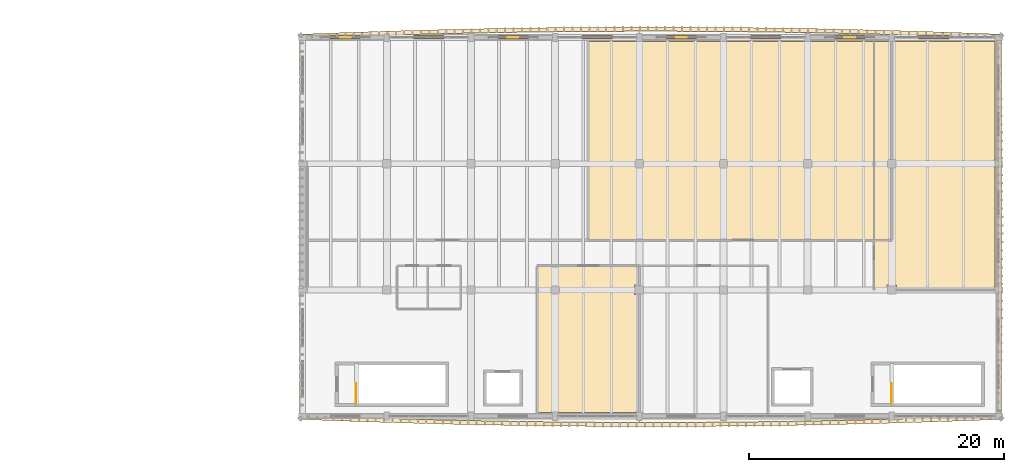
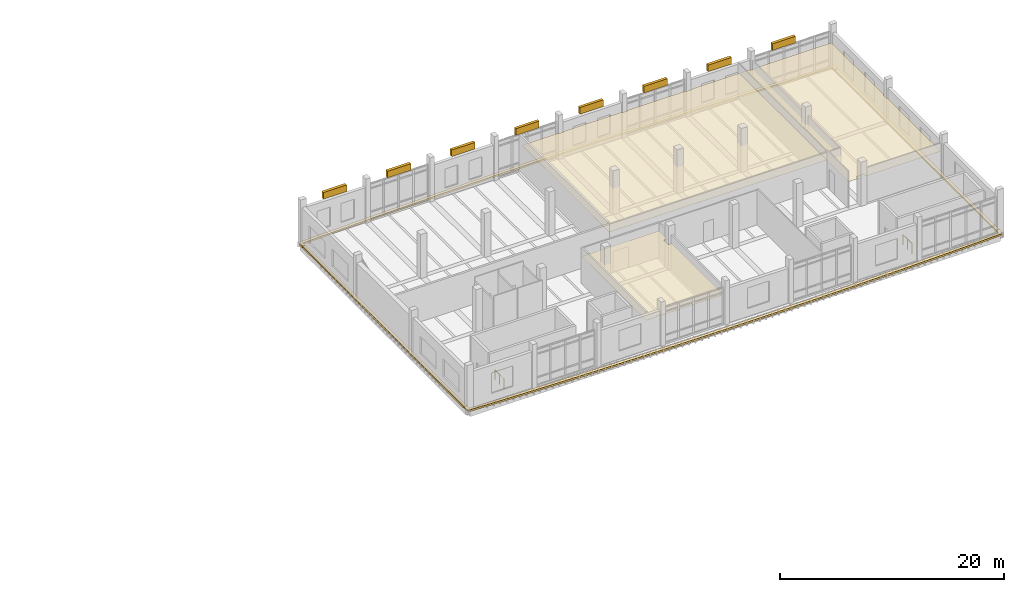
# One storey, part 30 of 37: 8 shading devices, 7 coverings, 2 railings.
"""IFC4 building model written with IfcOpenShell, lengths in metres."""

import ifcopenshell
import ifcopenshell.guid

model = None  # the IFC model being written
_history = None  # IfcOwnerHistory: only IFC2X3 demands one
_inside = {}  # id of a spatial element -> (the spatial element, [elements in it])
_under = {}  # id of a project, library or spatial element -> (it, [spatial elements below it])
_declared = {}  # id of a project -> (the project, [libraries it declares])
_typed = {}  # id of a type object -> (the type object, [elements of that type])
_made_of = {}  # id of a material, layer set ... -> (it, [elements and type objects made of it])


def new_model(schema):
    """Start an empty IFC model of exactly this schema.

    Asked for "IFC4X3", IfcOpenShell would pick the latest addendum, in which some entities
    have other attributes; the version numbers below select the first issue.
    IFC2X3 requires an IfcOwnerHistory on every rooted entity: one is made here for all.
    """
    global model, _history
    if schema == "IFC4X3":
        model = ifcopenshell.file(schema_version=(4, 3, 0, 0))
    else:
        model = ifcopenshell.file(schema=schema)
    _inside.clear()
    _under.clear()
    _declared.clear()
    _typed.clear()
    _made_of.clear()
    _history = None
    if model.schema == "IFC2X3":
        org = make("IfcOrganization", Name="unknown")
        user = make(
            "IfcPersonAndOrganization",
            ThePerson=make("IfcPerson", FamilyName="unknown"),
            TheOrganization=org,
        )
        app = make(
            "IfcApplication",
            ApplicationDeveloper=org,
            Version="unknown",
            ApplicationFullName="unknown",
            ApplicationIdentifier="unknown",
        )
        _history = make(
            "IfcOwnerHistory",
            OwningUser=user,
            OwningApplication=app,
            ChangeAction="ADDED",
            CreationDate=0,
        )
    return model


def make(cls, **values):
    """One entity of the class cls with the attributes given. An attribute that is None is left unset."""
    return model.create_entity(
        cls, **{name: value for name, value in values.items() if value is not None}
    )


def rooted(cls, **values):
    """An entity with a GlobalId (a new one), such as an element, a storey or a relation."""
    return make(cls, GlobalId=ifcopenshell.guid.new(), OwnerHistory=_history, **values)


def si_unit(unit_type, name, prefix=None):
    """IfcSIUnit, for example si_unit("LENGTHUNIT", "METRE", prefix="MILLI")."""
    return make("IfcSIUnit", UnitType=unit_type, Prefix=prefix, Name=name)


def assignment(units):
    """IfcUnitAssignment: the units of a project."""
    return None if units is None else make("IfcUnitAssignment", Units=units)


def point(xyz):
    """IfcCartesianPoint."""
    return None if xyz is None else make("IfcCartesianPoint", Coordinates=xyz)


def direction(xyz):
    """IfcDirection."""
    return None if xyz is None else make("IfcDirection", DirectionRatios=xyz)


def frame(location, z_axis=None, x_axis=None):
    """IfcAxis2Placement3D, a coordinate frame: its origin and axes. An axis left out is left unset."""
    return make(
        "IfcAxis2Placement3D",
        Location=point(location),
        Axis=direction(z_axis),
        RefDirection=direction(x_axis),
    )


def frame_2d(location, x_axis=None):
    """IfcAxis2Placement2D, a coordinate frame in the plane: its origin and x axis."""
    return make(
        "IfcAxis2Placement2D", Location=point(location), RefDirection=direction(x_axis)
    )


def origin():
    """The frame at (0, 0, 0) with its axes left unset."""
    return frame((0.0, 0.0, 0.0))


def origin_2d():
    """The frame at (0, 0) in the plane with its x axis left unset."""
    return frame_2d((0.0, 0.0))


def place(relative_to, where):
    """IfcLocalPlacement: puts the frame where relative to a parent placement (None: the world)."""
    return make(
        "IfcLocalPlacement", PlacementRelTo=relative_to, RelativePlacement=where
    )


def context(
    kind, dimensions, precision=None, world=None, true_north=None, identifier=None
):
    """IfcGeometricRepresentationContext, for example the 3D "Model" context."""
    return make(
        "IfcGeometricRepresentationContext",
        ContextIdentifier=identifier,
        ContextType=kind,
        CoordinateSpaceDimension=dimensions,
        Precision=precision,
        WorldCoordinateSystem=world,
        TrueNorth=true_north,
    )


def subcontext(parent, identifier, kind, view, scale=None):
    """IfcGeometricRepresentationSubContext, for example "Body" below "Model"."""
    return make(
        "IfcGeometricRepresentationSubContext",
        ContextIdentifier=identifier,
        ContextType=kind,
        ParentContext=parent,
        TargetScale=scale,
        TargetView=view,
    )


def project(units=None, contexts=None):
    """IfcProject with its units and contexts."""
    return rooted(
        "IfcProject",
        Name="project",
        RepresentationContexts=contexts,
        UnitsInContext=assignment(units),
    )


def spatial(cls, under=None, at=None, **own):
    """A site, building, storey or space (cls), placed at a placement, below another one or the project."""
    s = rooted(cls, ObjectPlacement=at, **own)
    if under is not None:
        _under.setdefault(under.id(), (under, []))[1].append(s)
    return s


def polyline(points):
    """IfcPolyline through the points."""
    return make("IfcPolyline", Points=[point(p) for p in points])


def profile(cls, at=None, kind="AREA", **sizes):
    """A parametric profile (cls). Its sizes go by their IFC names, for example OverallWidth=200.0."""
    return make(cls, ProfileType=kind, Position=at, **sizes)


def rectangle(**sizes):
    """IfcRectangleProfileDef."""
    return profile("IfcRectangleProfileDef", **sizes)


def circle(**sizes):
    """IfcCircleProfileDef."""
    return profile("IfcCircleProfileDef", **sizes)


def outline(outer, holes=None, kind="AREA"):
    """IfcArbitraryClosedProfileDef: a profile drawn as a closed curve; with holes, ...WithVoids."""
    if holes is None:
        return make("IfcArbitraryClosedProfileDef", ProfileType=kind, OuterCurve=outer)
    return make(
        "IfcArbitraryProfileDefWithVoids",
        ProfileType=kind,
        OuterCurve=outer,
        InnerCurves=holes,
    )


def extrude(swept, where, along, depth):
    """IfcExtrudedAreaSolid: the profile swept, set in the frame where, extruded along a direction by depth."""
    return make(
        "IfcExtrudedAreaSolid",
        SweptArea=swept,
        Position=where,
        ExtrudedDirection=direction(along),
        Depth=depth,
    )


def shape(context_of_items, identifier, shape_type, items):
    """IfcShapeRepresentation: the items that make up one representation, for example the "Body"."""
    return make(
        "IfcShapeRepresentation",
        ContextOfItems=context_of_items,
        RepresentationIdentifier=identifier,
        RepresentationType=shape_type,
        Items=items,
    )


def material(Name=None, Category=None):
    """IfcMaterial."""
    return make("IfcMaterial", Name=Name, Category=Category)


def layer(
    of_material, thickness, ventilated=None, Name=None, Category=None, Priority=None
):
    """IfcMaterialLayer: one layer of a wall or slab, of a material (None: an air gap)."""
    return make(
        "IfcMaterialLayer",
        Material=of_material,
        LayerThickness=thickness,
        IsVentilated=ventilated,
        Name=Name,
        Category=Category,
        Priority=Priority,
    )


def layer_set(layers, Name=None):
    """IfcMaterialLayerSet."""
    return make("IfcMaterialLayerSet", MaterialLayers=layers, LayerSetName=Name)


def made_of(thing, what):
    """Note that an element or type object is made of a material, layer set ...; save() writes the relation."""
    if what is not None:
        _made_of.setdefault(what.id(), (what, []))[1].append(thing)
    return thing


def type_object(cls, material=None, **own):
    """A type object (cls), such as IfcWallType, which elements share."""
    return made_of(rooted(cls, **own), material)


def element(
    cls,
    number,
    at=None,
    inside=None,
    cuts=None,
    type_object=None,
    material=None,
    context=None,
    identifier="Body",
    shape_type=None,
    held_by="IfcProductDefinitionShape",
    body=None,
    shapes=None,
    **own,
):
    """One element of the class cls, such as IfcWall. Its Tag is "e" and its number.

    at: its placement. inside: the storey or other place that contains it. cuts: it is an
    opening in that element (IfcRelVoidsElement). A single representation is given by context,
    identifier, shape_type and body (its items); several are given by shapes. held_by: the class
    of the entity that holds the representations. save() writes the other relations.
    """
    e = rooted(cls, Tag="e%d" % number, ObjectPlacement=at, **own)
    if body is not None:
        shapes = [shape(context, identifier, shape_type, body)]
    if shapes is not None:
        e.Representation = make(held_by, Representations=shapes)
    if inside is not None:
        _inside.setdefault(inside.id(), (inside, []))[1].append(e)
    if cuts is not None:
        rooted(
            "IfcRelVoidsElement", RelatingBuildingElement=cuts, RelatedOpeningElement=e
        )
    if type_object is not None:
        _typed.setdefault(type_object.id(), (type_object, []))[1].append(e)
    return made_of(e, material)


def aggregate(whole, parts):
    """IfcRelAggregates: a whole, such as a stair, and the parts it consists of."""
    return rooted("IfcRelAggregates", RelatingObject=whole, RelatedObjects=parts)


def save(model, path):
    """Write the relations noted so far, then the file.

    IfcRelAggregates (storeys below a building ...), IfcRelContainedInSpatialStructure (elements
    in a storey), IfcRelDefinesByType, IfcRelAssociatesMaterial and IfcRelDeclares: one each for
    every whole, place, type object, material and project.
    """
    for whole, parts in _under.values():
        aggregate(whole, parts)
    for where, things in _inside.values():
        rooted(
            "IfcRelContainedInSpatialStructure",
            RelatedElements=things,
            RelatingStructure=where,
        )
    for kind, things in _typed.values():
        rooted("IfcRelDefinesByType", RelatedObjects=things, RelatingType=kind)
    for what, things in _made_of.values():
        rooted("IfcRelAssociatesMaterial", RelatedObjects=things, RelatingMaterial=what)
    for by, libraries in _declared.values():
        rooted("IfcRelDeclares", RelatingContext=by, RelatedDefinitions=libraries)
    model.write(path)


model = new_model("IFC4")

# Units and contexts
model_context = context("Model", 3, precision=1e-05, world=origin(), true_north=direction((0.0, 1.0)))
body_context = subcontext(model_context, "Body", "Model", "MODEL_VIEW")
ifc_project = project(units=[si_unit("LENGTHUNIT", "METRE"), si_unit("AREAUNIT", "SQUARE_METRE"), si_unit("VOLUMEUNIT", "CUBIC_METRE"), si_unit("PLANEANGLEUNIT", "RADIAN"), si_unit("MASSUNIT", "GRAM", prefix="KILO")], contexts=[model_context])

# Site, building, storey
site_placement = place(None, origin())
site = spatial("IfcSite", under=ifc_project, at=site_placement, CompositionType="ELEMENT")
building_placement = place(site_placement, origin())
building = spatial("IfcBuilding", under=site, at=building_placement, Name="Dornvale Research Institute", CompositionType="ELEMENT")
storey_placement = place(building_placement, frame((0.0, 0.0, 29.39990234375)))
storey = spatial("IfcBuildingStorey", under=building, at=storey_placement, Name="L06", CompositionType="ELEMENT", Elevation=29.39990234375)

# Coverings
ifc_material_1 = material(Name="Mineral-Fibre Acoustic Lay-In Ceiling Tile System")
ifc_layer_1 = layer(ifc_material_1, 0.02001953125)
ifc_layer_set_1 = layer_set([ifc_layer_1], Name="Mineral-Fibre Acoustic Lay-In Ceiling Tile System")
covering_type_1 = type_object("IfcCoveringType", Name="Covering_Acoustic_Ceiling", PredefinedType="CEILING", material=ifc_layer_set_1)
covering_1_placement = place(storey_placement, frame((0.0, 0.0, 2.85009765625)))
element("IfcCovering", 1, at=covering_1_placement, inside=storey, type_object=covering_type_1, Name="L06 Polymer Materials Chemistry Laboratory suspended ceiling", PredefinedType="CEILING", context=body_context, shape_type="SweptSolid", body=[
    extrude(outline(polyline([(164.97998046875, 121.72509765625), (164.97998046875, 112.574951171875), (164.625, 112.574951171875), (164.625, 111.824951171875), (164.97998046875, 111.824951171875), (164.97998046875, 106.219970703125), (141.219970703125, 106.219970703125), (141.219970703125, 121.800048828125), (144.925048828125, 121.800048828125), (144.925048828125, 121.72509765625), (145.47509765625, 121.72509765625), (145.47509765625, 121.800048828125), (151.52490234375, 121.800048828125), (151.52490234375, 121.72509765625), (152.074951171875, 121.72509765625), (152.074951171875, 121.800048828125), (158.125, 121.800048828125), (158.125, 121.72509765625), (158.675048828125, 121.72509765625), (158.675048828125, 121.800048828125), (164.72509765625, 121.800048828125), (164.72509765625, 121.72509765625), (164.97998046875, 121.72509765625)])), origin(), (0.0, 0.0, 1.0), 0.02001953125),
])
covering_2_placement = place(storey_placement, frame((0.0, 0.0, 2.85009765625)))
element("IfcCovering", 2, at=covering_2_placement, inside=storey, type_object=covering_type_1, Name="L06 Laboratory Safety Officer Suite suspended ceiling", PredefinedType="CEILING", context=body_context, shape_type="SweptSolid", body=[
    extrude(outline(polyline([(163.6201171875, 102.320068359375), (163.6201171875, 121.800048828125), (164.72509765625, 121.800048828125), (164.72509765625, 121.72509765625), (165.27490234375, 121.72509765625), (165.27490234375, 121.800048828125), (173.10009765625, 121.800048828125), (173.10009765625, 112.47509765625), (173.02490234375, 112.47509765625), (173.02490234375, 111.925048828125), (173.10009765625, 111.925048828125), (173.10009765625, 102.574951171875), (173.02490234375, 102.574951171875), (173.02490234375, 102.320068359375), (165.375, 102.320068359375), (165.375, 102.675048828125), (164.625, 102.675048828125), (164.625, 102.320068359375), (163.6201171875, 102.320068359375)])), origin(), (0.0, 0.0, 1.0), 0.02001953125),
])
covering_3_placement = place(storey_placement, frame((0.0, 0.0, 2.85009765625)))
element("IfcCovering", 3, at=covering_3_placement, inside=storey, type_object=covering_type_1, Name="L06 Laboratory Instrument Support Room L06 suspended ceiling", PredefinedType="CEILING", context=body_context, shape_type="SweptSolid", body=[
    extrude(outline(polyline([(145.179931640625, 104.179931640625), (145.179931640625, 102.675048828125), (144.824951171875, 102.675048828125), (144.824951171875, 101.925048828125), (145.179931640625, 101.925048828125), (145.179931640625, 92.77490234375), (144.925048828125, 92.77490234375), (144.925048828125, 92.699951171875), (138.875, 92.699951171875), (138.875, 92.77490234375), (138.324951171875, 92.77490234375), (138.324951171875, 92.699951171875), (137.219970703125, 92.699951171875), (137.219970703125, 104.179931640625), (145.179931640625, 104.179931640625)])), origin(), (0.0, 0.0, 1.0), 0.02001953125),
])
ifc_material_2 = material(Name="Polychrome Glazed Terracotta Visor Rib Ceramic", Category="masonry")
ifc_layer_2 = layer(ifc_material_2, 0.179931640625)
ifc_layer_set_2 = layer_set([ifc_layer_2], Name="Polychrome Glazed Terracotta Visor Rib Ceramic")
covering_type_2 = type_object("IfcCoveringType", Name="Covering_VisorBrim_LowShelf", PredefinedType="CLADDING", material=ifc_layer_set_2)
covering_4_placement = place(storey_placement, frame((0.0, 0.0, -0.260009765625)))
element("IfcCovering", 4, at=covering_4_placement, inside=storey, type_object=covering_type_2, Name="L06 V4 canted bowed-brim visor hood #63", PredefinedType="CLADDING", context=body_context, shape_type="SweptSolid", body=[
    extrude(outline(polyline([(173.6591796875, 92.39990234375), (173.640380859375, 92.302978515625), (173.5869140625, 92.22021484375), (173.506103515625, 92.16357421875), (173.41015625, 92.14111328125), (171.755615234375, 92.076416015625), (171.7548828125, 92.076416015625), (170.100341796875, 92.015625), (170.099609375, 92.015625), (168.4453125, 91.959228515625), (168.444580078125, 91.958984375), (166.7900390625, 91.906494140625), (166.789306640625, 91.906494140625), (165.135009765625, 91.858154296875), (165.13427734375, 91.858154296875), (163.479736328125, 91.813720703125), (163.47900390625, 91.813720703125), (161.824462890625, 91.773193359375), (161.823974609375, 91.773193359375), (160.169189453125, 91.73681640625), (160.168701171875, 91.73681640625), (158.51416015625, 91.704345703125), (158.513427734375, 91.704345703125), (156.85888671875, 91.67626953125), (156.8583984375, 91.67626953125), (155.203857421875, 91.65185546875), (155.203125, 91.65185546875), (153.548583984375, 91.631591796875), (153.548095703125, 91.631591796875), (151.893310546875, 91.615478515625), (151.892822265625, 91.615478515625), (150.23828125, 91.603515625), (150.23779296875, 91.603515625), (148.5830078125, 91.59521484375), (148.58251953125, 91.59521484375), (146.927978515625, 91.59130859375), (146.92724609375, 91.59130859375), (145.272705078125, 91.59130859375), (145.272216796875, 91.59130859375), (143.61767578125, 91.59521484375), (143.616943359375, 91.59521484375), (141.96240234375, 91.603515625), (141.961669921875, 91.603515625), (140.30712890625, 91.615478515625), (140.306640625, 91.615478515625), (138.652099609375, 91.631591796875), (138.6513671875, 91.631591796875), (136.996826171875, 91.65185546875), (136.99609375, 91.65185546875), (135.341796875, 91.67626953125), (135.341064453125, 91.67626953125), (133.6865234375, 91.704345703125), (133.685791015625, 91.704345703125), (132.03125, 91.73681640625), (132.03076171875, 91.73681640625), (130.376220703125, 91.773193359375), (130.37548828125, 91.773193359375), (128.720947265625, 91.813720703125), (128.72021484375, 91.813720703125), (127.065673828125, 91.858154296875), (127.065185546875, 91.858154296875), (125.41064453125, 91.906494140625), (125.409912109375, 91.906494140625), (123.75537109375, 91.958984375), (123.7548828125, 91.959228515625), (122.100341796875, 92.015625), (122.099609375, 92.015625), (120.445068359375, 92.076416015625), (120.4443359375, 92.076416015625), (118.789794921875, 92.14111328125), (118.69384765625, 92.16357421875), (118.61328125, 92.22021484375), (118.5595703125, 92.302978515625), (118.540771484375, 92.39990234375), (118.540771484375, 92.85009765625), (118.860107421875, 92.85009765625), (118.860107421875, 92.457763671875), (120.456787109375, 92.3955078125), (122.111083984375, 92.334716796875), (123.765625, 92.2783203125), (125.419921875, 92.2255859375), (127.074462890625, 92.17724609375), (128.728759765625, 92.1328125), (130.38330078125, 92.09228515625), (132.03759765625, 92.055908203125), (133.69189453125, 92.023681640625), (135.346435546875, 91.995361328125), (137.000732421875, 91.97119140625), (138.6552734375, 91.950927734375), (140.3095703125, 91.934814453125), (141.964111328125, 91.922607421875), (143.618408203125, 91.91455078125), (145.272705078125, 91.910400390625), (146.92724609375, 91.910400390625), (148.58154296875, 91.91455078125), (150.236083984375, 91.922607421875), (151.890380859375, 91.934814453125), (153.544921875, 91.950927734375), (155.19921875, 91.97119140625), (156.853515625, 91.995361328125), (158.508056640625, 92.023681640625), (160.162353515625, 92.055908203125), (161.81689453125, 92.09228515625), (163.47119140625, 92.1328125), (165.12548828125, 92.17724609375), (166.780029296875, 92.2255859375), (168.434326171875, 92.2783203125), (170.0888671875, 92.334716796875), (171.7431640625, 92.3955078125), (173.340087890625, 92.457763671875), (173.340087890625, 92.85009765625), (173.6591796875, 92.85009765625), (173.6591796875, 92.39990234375)])), origin(), (0.0, 0.0, 1.0), 0.18017578125),
])
covering_5_placement = place(storey_placement, frame((0.0, 0.0, -0.260009765625)))
element("IfcCovering", 5, at=covering_5_placement, inside=storey, type_object=covering_type_2, Name="L06 V4 canted bowed-brim visor hood #64", PredefinedType="CLADDING", context=body_context, shape_type="SweptSolid", body=[
    extrude(outline(polyline([(118.5595703125, 122.197021484375), (118.61328125, 122.27978515625), (118.69384765625, 122.33642578125), (118.789794921875, 122.35888671875), (120.4443359375, 122.423583984375), (120.445068359375, 122.423583984375), (122.099609375, 122.484375), (122.100341796875, 122.484375), (123.7548828125, 122.540771484375), (123.75537109375, 122.541015625), (125.409912109375, 122.593505859375), (125.41064453125, 122.593505859375), (127.065185546875, 122.641845703125), (127.065673828125, 122.641845703125), (128.72021484375, 122.686279296875), (128.720947265625, 122.686279296875), (130.37548828125, 122.726806640625), (130.376220703125, 122.726806640625), (132.03076171875, 122.76318359375), (132.03125, 122.76318359375), (133.685791015625, 122.795654296875), (133.6865234375, 122.795654296875), (135.341064453125, 122.82373046875), (135.341796875, 122.82373046875), (136.99609375, 122.84814453125), (136.996826171875, 122.84814453125), (138.6513671875, 122.868408203125), (138.652099609375, 122.868408203125), (140.306640625, 122.884521484375), (140.30712890625, 122.884521484375), (141.961669921875, 122.896484375), (141.96240234375, 122.896484375), (143.616943359375, 122.90478515625), (143.61767578125, 122.90478515625), (145.272216796875, 122.90869140625), (145.272705078125, 122.90869140625), (146.92724609375, 122.90869140625), (146.927978515625, 122.90869140625), (148.58251953125, 122.90478515625), (148.5830078125, 122.90478515625), (150.23779296875, 122.896484375), (150.23828125, 122.896484375), (151.892822265625, 122.884521484375), (151.893310546875, 122.884521484375), (153.548095703125, 122.868408203125), (153.548583984375, 122.868408203125), (155.203125, 122.84814453125), (155.203857421875, 122.84814453125), (156.8583984375, 122.82373046875), (156.85888671875, 122.82373046875), (158.513427734375, 122.795654296875), (158.51416015625, 122.795654296875), (160.168701171875, 122.76318359375), (160.169189453125, 122.76318359375), (161.823974609375, 122.726806640625), (161.824462890625, 122.726806640625), (163.47900390625, 122.686279296875), (163.479736328125, 122.686279296875), (165.13427734375, 122.641845703125), (165.135009765625, 122.641845703125), (166.789306640625, 122.593505859375), (166.7900390625, 122.593505859375), (168.444580078125, 122.541015625), (168.4453125, 122.540771484375), (170.099609375, 122.484375), (170.100341796875, 122.484375), (171.7548828125, 122.423583984375), (171.755615234375, 122.423583984375), (173.41015625, 122.35888671875), (173.506103515625, 122.33642578125), (173.5869140625, 122.27978515625), (173.640380859375, 122.197021484375), (173.6591796875, 122.10009765625), (173.6591796875, 121.64990234375), (173.340087890625, 121.64990234375), (173.340087890625, 122.042236328125), (171.7431640625, 122.1044921875), (170.0888671875, 122.165283203125), (168.434326171875, 122.2216796875), (166.780029296875, 122.2744140625), (165.12548828125, 122.32275390625), (163.47119140625, 122.3671875), (161.81689453125, 122.40771484375), (160.162353515625, 122.444091796875), (158.508056640625, 122.476318359375), (156.853515625, 122.504638671875), (155.19921875, 122.52880859375), (153.544921875, 122.549072265625), (151.890380859375, 122.565185546875), (150.236083984375, 122.577392578125), (148.58154296875, 122.58544921875), (146.92724609375, 122.589599609375), (145.272705078125, 122.589599609375), (143.618408203125, 122.58544921875), (141.964111328125, 122.577392578125), (140.3095703125, 122.565185546875), (138.6552734375, 122.549072265625), (137.000732421875, 122.52880859375), (135.346435546875, 122.504638671875), (133.69189453125, 122.476318359375), (132.03759765625, 122.444091796875), (130.38330078125, 122.40771484375), (128.728759765625, 122.3671875), (127.074462890625, 122.32275390625), (125.419921875, 122.2744140625), (123.765625, 122.2216796875), (122.111083984375, 122.165283203125), (120.456787109375, 122.1044921875), (118.860107421875, 122.042236328125), (118.860107421875, 121.64990234375), (118.540771484375, 121.64990234375), (118.540771484375, 122.10009765625), (118.5595703125, 122.197021484375)])), origin(), (0.0, 0.0, 1.0), 0.18017578125),
])
covering_6_placement = place(storey_placement, frame((0.0, 0.0, -0.260009765625)))
element("IfcCovering", 6, at=covering_6_placement, inside=storey, type_object=covering_type_2, Name="L06 V4 canted bowed-brim visor hood #65", PredefinedType="CLADDING", context=body_context, shape_type="SweptSolid", body=[
    extrude(outline(polyline([(118.540771484375, 121.64990234375), (118.860107421875, 121.64990234375), (118.860107421875, 92.85009765625), (118.540771484375, 92.85009765625), (118.540771484375, 121.64990234375)])), origin(), (0.0, 0.0, 1.0), 0.18017578125),
])
covering_7_placement = place(storey_placement, frame((0.0, 0.0, -0.260009765625)))
element("IfcCovering", 7, at=covering_7_placement, inside=storey, type_object=covering_type_2, Name="L06 V4 canted bowed-brim visor hood #66", PredefinedType="CLADDING", context=body_context, shape_type="SweptSolid", body=[
    extrude(outline(polyline([(173.6591796875, 92.85009765625), (173.340087890625, 92.85009765625), (173.340087890625, 121.64990234375), (173.6591796875, 121.64990234375), (173.6591796875, 92.85009765625)])), origin(), (0.0, 0.0, 1.0), 0.18017578125),
])

# Railings
ifc_material_3 = material(Name="Galvanized Painted Tubular Steel Stair Rail", Category="steel")
ifc_layer_3 = layer(ifc_material_3, 0.050048828125)
ifc_layer_set_3 = layer_set([ifc_layer_3], Name="Galvanized Painted Tubular Steel Stair Rail")
railing_type = type_object("IfcRailingType", Name="Railing_Stair_Guard_1100", PredefinedType="GUARDRAIL", material=ifc_layer_set_3)
for number, where, name in (
    (8, (122.969970703125, 93.39990234375, 0.0), "L06 ST-3 top well guard 1"),
    (9, (164.969970703125, 93.39990234375, 0.0), "L06 ST-4 top well guard 1"),
):
    element("IfcRailing", number, at=place(storey_placement, frame(where)), inside=storey, type_object=railing_type, Name=name, PredefinedType="GUARDRAIL", context=body_context, shape_type="SweptSolid", body=[
        extrude(circle(Radius=0.02392578125, at=origin_2d()), frame((0.0, 0.0, 1.076171875), z_axis=(0.0, 1.0, 0.0), x_axis=(-1.0, 0.0, 0.0)), (0.0, 0.0, 1.0), 1.580078125),
        extrude(circle(Radius=0.02099609375, at=origin_2d()), origin(), (0.0, 0.0, 1.0), 1.052001953125),
        extrude(circle(Radius=0.02099609375, at=origin_2d()), frame((0.0, 0.7900390625, 0.0)), (0.0, 0.0, 1.0), 1.052001953125),
        extrude(circle(Radius=0.02099609375, at=origin_2d()), frame((0.0, 1.580078125, 0.0)), (0.0, 0.0, 1.0), 1.052001953125),
    ])

# Shading devices
ifc_material_4 = material(Name="Extruded Aluminum Acoustic Intake Louvre", Category="aluminium")
ifc_layer_4 = layer(ifc_material_4, 0.139892578125)
ifc_layer_set_4 = layer_set([ifc_layer_4], Name="Extruded Aluminum Acoustic Intake Louvre")
shading_device_type = type_object("IfcShadingDeviceType", Name="Shading_Acoustic_Louvre", PredefinedType="USERDEFINED", material=ifc_layer_set_4)
for number, where, z_axis, x_axis, name in (
    (10, (122.10009765625, 122.10009765625, 4.02001953125), (0.0, 0.0, 1.0), (1.0, 0.0, 0.0), "L06 V4 extruded aluminum acoustic louvre #13"),
    (11, (128.699951171875, 122.10009765625, 4.02001953125), (0.0, 0.0, 1.0), (1.0, 0.0, 0.0), "L06 V4 extruded aluminum acoustic louvre #14"),
    (12, (135.300048828125, 122.10009765625, 4.02001953125), (0.0, 0.0, 1.0), (1.0, 0.0, 0.0), "L06 V4 extruded aluminum acoustic louvre #15"),
    (13, (141.89990234375, 122.10009765625, 4.02001953125), (0.0, 0.0, 1.0), (1.0, 0.0, 0.0), "L06 V4 extruded aluminum acoustic louvre #16"),
    (14, (148.5, 122.10009765625, 4.02001953125), (0.0, 0.0, 1.0), (1.0, 0.0, 0.0), "L06 V4 extruded aluminum acoustic louvre #17"),
    (15, (155.10009765625, 122.10009765625, 4.02001953125), (0.0, 0.0, 1.0), (1.0, 0.0, 0.0), "L06 V4 extruded aluminum acoustic louvre #18"),
    (16, (161.699951171875, 122.10009765625, 4.02001953125), (0.0, 0.0, 1.0), (1.0, 0.0, 0.0), "L06 V4 extruded aluminum acoustic louvre #19"),
    (17, (168.300048828125, 122.10009765625, 4.02001953125), (0.0, 0.0, 1.0), (1.0, 0.0, 0.0), "L06 V4 extruded aluminum acoustic louvre #20"),
):
    element("IfcShadingDevice", number, at=place(storey_placement, frame(where, z_axis=z_axis, x_axis=x_axis)), inside=storey, type_object=shading_device_type, Name=name, ObjectType="LOUVRE", PredefinedType="USERDEFINED", context=body_context, shape_type="SweptSolid", body=[
        extrude(rectangle(XDim=2.39990234375, YDim=0.280029296875, at=origin_2d()), origin(), (0.0, 0.0, 1.0), 0.719970703125),
    ])

save(model, "model.ifc")
